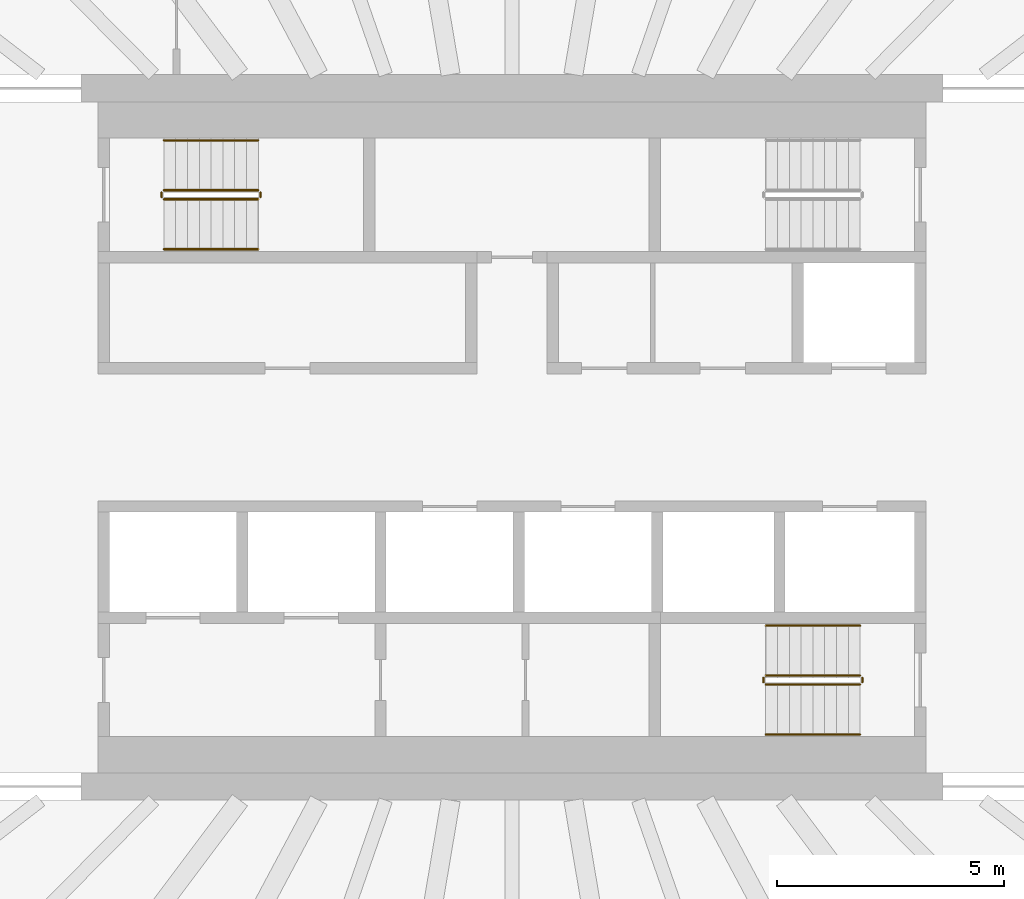
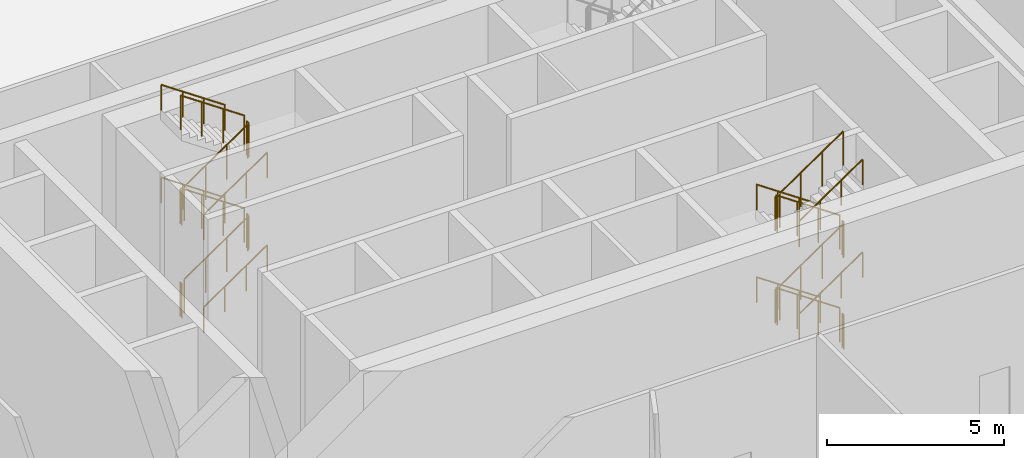
# One storey, part 20 of 27: 24 railings.
"""IFC4 building model written with IfcOpenShell, lengths in metres."""

from ifc_helpers import new_model, si_unit, direction, frame, origin, origin_2d, place, context, subcontext, project, spatial, circle, extrude, material, type_object, element, save


model = new_model("IFC4")

# Units and contexts
model_context = context("Model", 3, precision=1e-05, world=origin(), true_north=direction((0.0, 1.0)))
body_context = subcontext(model_context, "Body", "Model", "MODEL_VIEW")
ifc_project = project(units=[si_unit("LENGTHUNIT", "METRE"), si_unit("AREAUNIT", "SQUARE_METRE"), si_unit("VOLUMEUNIT", "CUBIC_METRE"), si_unit("PLANEANGLEUNIT", "RADIAN"), si_unit("MASSUNIT", "GRAM", prefix="KILO")], contexts=[model_context])

# Site, building, storey
site_placement = place(None, origin())
site = spatial("IfcSite", under=ifc_project, at=site_placement, CompositionType="ELEMENT")
building_placement = place(site_placement, origin())
building = spatial("IfcBuilding", under=site, at=building_placement, Name="Sahrelin Media Tower", CompositionType="ELEMENT")
storey_placement = place(building_placement, frame((0.0, 0.0, 44.0)))
storey = spatial("IfcBuildingStorey", under=building, at=storey_placement, Name="L06", CompositionType="ELEMENT", Elevation=44.0)

# Railings
ifc_material = material(Name="Steel S355", Category="steel")
railing_type_1 = type_object("IfcRailingType", Name="Stair guard 1200", PredefinedType="GUARDRAIL", material=ifc_material)
railing_1_placement = place(storey_placement, frame((-7.675048828125, 5.25, 0.177734375)))
element("IfcRailing", 1, at=railing_1_placement, inside=storey, type_object=railing_type_1, Name="L06 ST1 stair guard 1", PredefinedType="GUARDRAIL", context=body_context, shape_type="SweptSolid", body=[
    extrude(circle(Radius=0.02392578125, at=origin_2d()), frame((0.0, 0.0, 1.17578125), z_axis=(0.825464074169, 0.0, 0.564454659168), x_axis=(0.0, 1.0, 0.0)), (0.0, 0.0, 1.0), 2.519775390625),
    extrude(circle(Radius=0.02099609375, at=origin_2d()), origin(), (0.0, 0.0, 1.0), 1.15185546875),
    extrude(circle(Radius=0.02099609375, at=origin_2d()), frame((0.693359375, 0.0, 0.47412109375)), (0.0, 0.0, 1.0), 1.15185546875),
    extrude(circle(Radius=0.02099609375, at=origin_2d()), frame((1.38671875, 0.0, 0.9482421875)), (0.0, 0.0, 1.0), 1.15185546875),
    extrude(circle(Radius=0.02099609375, at=origin_2d()), frame((2.080078125, 0.0, 1.42236328125)), (0.0, 0.0, 1.0), 1.15185546875),
])
railing_2_placement = place(storey_placement, frame((-5.544921875, 5.300048828125, 1.60009765625)))
element("IfcRailing", 2, at=railing_2_placement, inside=storey, type_object=railing_type_1, Name="L06 ST1 stair guard 2", PredefinedType="GUARDRAIL", context=body_context, shape_type="SweptSolid", body=[
    extrude(circle(Radius=0.02392578125, at=origin_2d()), frame((0.0, 0.0, 1.17578125), z_axis=(0.0, 1.0, 0.0), x_axis=(-1.0, 0.0, 0.0)), (0.0, 0.0, 1.0), 0.099853515625),
    extrude(circle(Radius=0.02099609375, at=origin_2d()), origin(), (0.0, 0.0, 1.0), 1.15185546875),
    extrude(circle(Radius=0.02099609375, at=origin_2d()), frame((0.0, 0.099853515625, 0.0)), (0.0, 0.0, 1.0), 1.15185546875),
])
railing_3_placement = place(storey_placement, frame((-5.594970703125, 5.449951171875, 1.77783203125)))
element("IfcRailing", 3, at=railing_3_placement, inside=storey, type_object=railing_type_1, Name="L06 ST1 stair guard 3", PredefinedType="GUARDRAIL", context=body_context, shape_type="SweptSolid", body=[
    extrude(circle(Radius=0.02392578125, at=origin_2d()), frame((0.0, 0.0, 1.17578125), z_axis=(-0.82550921652, 0.0, 0.564388636881), x_axis=(0.0, -1.0, 0.0)), (0.0, 0.0, 1.0), 2.519775390625),
    extrude(circle(Radius=0.02099609375, at=origin_2d()), origin(), (0.0, 0.0, 1.0), 1.15185546875),
    extrude(circle(Radius=0.02099609375, at=origin_2d()), frame((-0.693359375, 0.0, 0.47412109375)), (0.0, 0.0, 1.0), 1.15185546875),
    extrude(circle(Radius=0.02099609375, at=origin_2d()), frame((-1.38671875, 0.0, 0.947998046875)), (0.0, 0.0, 1.0), 1.15185546875),
    extrude(circle(Radius=0.02099609375, at=origin_2d()), frame((-2.080078125, 0.0, 1.422119140625)), (0.0, 0.0, 1.0), 1.15185546875),
])
railing_4_placement = place(storey_placement, frame((-7.72509765625, 5.300048828125, 3.199951171875)))
element("IfcRailing", 4, at=railing_4_placement, inside=storey, type_object=railing_type_1, Name="L06 ST1 stair guard 4", PredefinedType="GUARDRAIL", context=body_context, shape_type="SweptSolid", body=[
    extrude(circle(Radius=0.02392578125, at=origin_2d()), frame((0.0, 0.0, 1.17578125), z_axis=(0.0, 1.0, 0.0), x_axis=(-1.0, 0.0, 0.0)), (0.0, 0.0, 1.0), 0.099853515625),
    extrude(circle(Radius=0.02099609375, at=origin_2d()), origin(), (0.0, 0.0, 1.0), 1.15185546875),
    extrude(circle(Radius=0.02099609375, at=origin_2d()), frame((0.0, 0.099853515625, 0.0)), (0.0, 0.0, 1.0), 1.15185546875),
])
railing_5_placement = place(storey_placement, frame((-7.675048828125, 5.25, 3.377685546875)))
element("IfcRailing", 5, at=railing_5_placement, inside=storey, type_object=railing_type_1, Name="L06 ST1 stair guard 5", PredefinedType="GUARDRAIL", context=body_context, shape_type="SweptSolid", body=[
    extrude(circle(Radius=0.02392578125, at=origin_2d()), frame((0.0, 0.0, 1.17578125), z_axis=(0.825464074169, 0.0, 0.564454659168), x_axis=(0.0, 1.0, 0.0)), (0.0, 0.0, 1.0), 2.519775390625),
    extrude(circle(Radius=0.02099609375, at=origin_2d()), origin(), (0.0, 0.0, 1.0), 1.15185546875),
    extrude(circle(Radius=0.02099609375, at=origin_2d()), frame((0.693359375, 0.0, 0.47412109375)), (0.0, 0.0, 1.0), 1.15185546875),
    extrude(circle(Radius=0.02099609375, at=origin_2d()), frame((1.38671875, 0.0, 0.9482421875)), (0.0, 0.0, 1.0), 1.15185546875),
    extrude(circle(Radius=0.02099609375, at=origin_2d()), frame((2.080078125, 0.0, 1.42236328125)), (0.0, 0.0, 1.0), 1.15185546875),
])
railing_6_placement = place(storey_placement, frame((-5.544921875, 5.300048828125, 4.800048828125)))
element("IfcRailing", 6, at=railing_6_placement, inside=storey, type_object=railing_type_1, Name="L06 ST1 stair guard 6", PredefinedType="GUARDRAIL", context=body_context, shape_type="SweptSolid", body=[
    extrude(circle(Radius=0.02392578125, at=origin_2d()), frame((0.0, 0.0, 1.17578125), z_axis=(0.0, 1.0, 0.0), x_axis=(-1.0, 0.0, 0.0)), (0.0, 0.0, 1.0), 0.099853515625),
    extrude(circle(Radius=0.02099609375, at=origin_2d()), origin(), (0.0, 0.0, 1.0), 1.15185546875),
    extrude(circle(Radius=0.02099609375, at=origin_2d()), frame((0.0, 0.099853515625, 0.0)), (0.0, 0.0, 1.0), 1.15185546875),
])
railing_7_placement = place(storey_placement, frame((-5.594970703125, 5.449951171875, 4.977783203125)))
element("IfcRailing", 7, at=railing_7_placement, inside=storey, type_object=railing_type_1, Name="L06 ST1 stair guard 7", PredefinedType="GUARDRAIL", context=body_context, shape_type="SweptSolid", body=[
    extrude(circle(Radius=0.02392578125, at=origin_2d()), frame((0.0, 0.0, 1.17578125), z_axis=(-0.82550921652, 0.0, 0.564388636881), x_axis=(0.0, -1.0, 0.0)), (0.0, 0.0, 1.0), 2.519775390625),
    extrude(circle(Radius=0.02099609375, at=origin_2d()), origin(), (0.0, 0.0, 1.0), 1.15185546875),
    extrude(circle(Radius=0.02099609375, at=origin_2d()), frame((-0.693359375, 0.0, 0.47412109375)), (0.0, 0.0, 1.0), 1.15185546875),
    extrude(circle(Radius=0.02099609375, at=origin_2d()), frame((-1.38671875, 0.0, 0.947998046875)), (0.0, 0.0, 1.0), 1.15185546875),
    extrude(circle(Radius=0.02099609375, at=origin_2d()), frame((-2.080078125, 0.0, 1.422119140625)), (0.0, 0.0, 1.0), 1.15185546875),
])
railing_8_placement = place(storey_placement, frame((-7.72509765625, 5.300048828125, 0.0)))
element("IfcRailing", 8, at=railing_8_placement, inside=storey, type_object=railing_type_1, Name="L06 ST1 stair guard 8", PredefinedType="GUARDRAIL", context=body_context, shape_type="SweptSolid", body=[
    extrude(circle(Radius=0.02392578125, at=origin_2d()), frame((0.0, 0.0, 1.17578125), z_axis=(0.0, 1.0, 0.0), x_axis=(-1.0, 0.0, 0.0)), (0.0, 0.0, 1.0), 0.099853515625),
    extrude(circle(Radius=0.02099609375, at=origin_2d()), origin(), (0.0, 0.0, 1.0), 1.15185546875),
    extrude(circle(Radius=0.02099609375, at=origin_2d()), frame((0.0, 0.099853515625, 0.0)), (0.0, 0.0, 1.0), 1.15185546875),
])
railing_9_placement = place(storey_placement, frame((7.675048828125, -5.25, 0.177734375)))
element("IfcRailing", 9, at=railing_9_placement, inside=storey, type_object=railing_type_1, Name="L06 ST2 stair guard 1", PredefinedType="GUARDRAIL", context=body_context, shape_type="SweptSolid", body=[
    extrude(circle(Radius=0.02392578125, at=origin_2d()), frame((0.0, 0.0, 1.17578125), z_axis=(-0.825464074169, 0.0, 0.564454659168), x_axis=(0.0, -1.0, 0.0)), (0.0, 0.0, 1.0), 2.519775390625),
    extrude(circle(Radius=0.02099609375, at=origin_2d()), origin(), (0.0, 0.0, 1.0), 1.15185546875),
    extrude(circle(Radius=0.02099609375, at=origin_2d()), frame((-0.693359375, 0.0, 0.47412109375)), (0.0, 0.0, 1.0), 1.15185546875),
    extrude(circle(Radius=0.02099609375, at=origin_2d()), frame((-1.38671875, 0.0, 0.9482421875)), (0.0, 0.0, 1.0), 1.15185546875),
    extrude(circle(Radius=0.02099609375, at=origin_2d()), frame((-2.080078125, 0.0, 1.42236328125)), (0.0, 0.0, 1.0), 1.15185546875),
])
railing_10_placement = place(storey_placement, frame((5.544921875, -5.300048828125, 1.60009765625)))
element("IfcRailing", 10, at=railing_10_placement, inside=storey, type_object=railing_type_1, Name="L06 ST2 stair guard 2", PredefinedType="GUARDRAIL", context=body_context, shape_type="SweptSolid", body=[
    extrude(circle(Radius=0.02392578125, at=origin_2d()), frame((0.0, 0.0, 1.17578125), z_axis=(0.0, -1.0, 0.0), x_axis=(1.0, 0.0, 0.0)), (0.0, 0.0, 1.0), 0.099853515625),
    extrude(circle(Radius=0.02099609375, at=origin_2d()), origin(), (0.0, 0.0, 1.0), 1.15185546875),
    extrude(circle(Radius=0.02099609375, at=origin_2d()), frame((0.0, -0.099853515625, 0.0)), (0.0, 0.0, 1.0), 1.15185546875),
])
railing_11_placement = place(storey_placement, frame((5.594970703125, -5.449951171875, 1.77783203125)))
element("IfcRailing", 11, at=railing_11_placement, inside=storey, type_object=railing_type_1, Name="L06 ST2 stair guard 3", PredefinedType="GUARDRAIL", context=body_context, shape_type="SweptSolid", body=[
    extrude(circle(Radius=0.02392578125, at=origin_2d()), frame((0.0, 0.0, 1.17578125), z_axis=(0.82550921652, 0.0, 0.564388636881), x_axis=(0.0, 1.0, 0.0)), (0.0, 0.0, 1.0), 2.519775390625),
    extrude(circle(Radius=0.02099609375, at=origin_2d()), origin(), (0.0, 0.0, 1.0), 1.15185546875),
    extrude(circle(Radius=0.02099609375, at=origin_2d()), frame((0.693359375, 0.0, 0.47412109375)), (0.0, 0.0, 1.0), 1.15185546875),
    extrude(circle(Radius=0.02099609375, at=origin_2d()), frame((1.38671875, 0.0, 0.947998046875)), (0.0, 0.0, 1.0), 1.15185546875),
    extrude(circle(Radius=0.02099609375, at=origin_2d()), frame((2.080078125, 0.0, 1.422119140625)), (0.0, 0.0, 1.0), 1.15185546875),
])
railing_12_placement = place(storey_placement, frame((7.72509765625, -5.300048828125, 3.199951171875)))
element("IfcRailing", 12, at=railing_12_placement, inside=storey, type_object=railing_type_1, Name="L06 ST2 stair guard 4", PredefinedType="GUARDRAIL", context=body_context, shape_type="SweptSolid", body=[
    extrude(circle(Radius=0.02392578125, at=origin_2d()), frame((0.0, 0.0, 1.17578125), z_axis=(0.0, -1.0, 0.0), x_axis=(1.0, 0.0, 0.0)), (0.0, 0.0, 1.0), 0.099853515625),
    extrude(circle(Radius=0.02099609375, at=origin_2d()), origin(), (0.0, 0.0, 1.0), 1.15185546875),
    extrude(circle(Radius=0.02099609375, at=origin_2d()), frame((0.0, -0.099853515625, 0.0)), (0.0, 0.0, 1.0), 1.15185546875),
])
railing_13_placement = place(storey_placement, frame((7.675048828125, -5.25, 3.377685546875)))
element("IfcRailing", 13, at=railing_13_placement, inside=storey, type_object=railing_type_1, Name="L06 ST2 stair guard 5", PredefinedType="GUARDRAIL", context=body_context, shape_type="SweptSolid", body=[
    extrude(circle(Radius=0.02392578125, at=origin_2d()), frame((0.0, 0.0, 1.17578125), z_axis=(-0.825464074169, 0.0, 0.564454659168), x_axis=(0.0, -1.0, 0.0)), (0.0, 0.0, 1.0), 2.519775390625),
    extrude(circle(Radius=0.02099609375, at=origin_2d()), origin(), (0.0, 0.0, 1.0), 1.15185546875),
    extrude(circle(Radius=0.02099609375, at=origin_2d()), frame((-0.693359375, 0.0, 0.47412109375)), (0.0, 0.0, 1.0), 1.15185546875),
    extrude(circle(Radius=0.02099609375, at=origin_2d()), frame((-1.38671875, 0.0, 0.9482421875)), (0.0, 0.0, 1.0), 1.15185546875),
    extrude(circle(Radius=0.02099609375, at=origin_2d()), frame((-2.080078125, 0.0, 1.42236328125)), (0.0, 0.0, 1.0), 1.15185546875),
])
railing_14_placement = place(storey_placement, frame((5.544921875, -5.300048828125, 4.800048828125)))
element("IfcRailing", 14, at=railing_14_placement, inside=storey, type_object=railing_type_1, Name="L06 ST2 stair guard 6", PredefinedType="GUARDRAIL", context=body_context, shape_type="SweptSolid", body=[
    extrude(circle(Radius=0.02392578125, at=origin_2d()), frame((0.0, 0.0, 1.17578125), z_axis=(0.0, -1.0, 0.0), x_axis=(1.0, 0.0, 0.0)), (0.0, 0.0, 1.0), 0.099853515625),
    extrude(circle(Radius=0.02099609375, at=origin_2d()), origin(), (0.0, 0.0, 1.0), 1.15185546875),
    extrude(circle(Radius=0.02099609375, at=origin_2d()), frame((0.0, -0.099853515625, 0.0)), (0.0, 0.0, 1.0), 1.15185546875),
])
railing_15_placement = place(storey_placement, frame((5.594970703125, -5.449951171875, 4.977783203125)))
element("IfcRailing", 15, at=railing_15_placement, inside=storey, type_object=railing_type_1, Name="L06 ST2 stair guard 7", PredefinedType="GUARDRAIL", context=body_context, shape_type="SweptSolid", body=[
    extrude(circle(Radius=0.02392578125, at=origin_2d()), frame((0.0, 0.0, 1.17578125), z_axis=(0.82550921652, 0.0, 0.564388636881), x_axis=(0.0, 1.0, 0.0)), (0.0, 0.0, 1.0), 2.519775390625),
    extrude(circle(Radius=0.02099609375, at=origin_2d()), origin(), (0.0, 0.0, 1.0), 1.15185546875),
    extrude(circle(Radius=0.02099609375, at=origin_2d()), frame((0.693359375, 0.0, 0.47412109375)), (0.0, 0.0, 1.0), 1.15185546875),
    extrude(circle(Radius=0.02099609375, at=origin_2d()), frame((1.38671875, 0.0, 0.947998046875)), (0.0, 0.0, 1.0), 1.15185546875),
    extrude(circle(Radius=0.02099609375, at=origin_2d()), frame((2.080078125, 0.0, 1.422119140625)), (0.0, 0.0, 1.0), 1.15185546875),
])
railing_16_placement = place(storey_placement, frame((7.72509765625, -5.300048828125, 0.0)))
element("IfcRailing", 16, at=railing_16_placement, inside=storey, type_object=railing_type_1, Name="L06 ST2 stair guard 8", PredefinedType="GUARDRAIL", context=body_context, shape_type="SweptSolid", body=[
    extrude(circle(Radius=0.02392578125, at=origin_2d()), frame((0.0, 0.0, 1.17578125), z_axis=(0.0, -1.0, 0.0), x_axis=(1.0, 0.0, 0.0)), (0.0, 0.0, 1.0), 0.099853515625),
    extrude(circle(Radius=0.02099609375, at=origin_2d()), origin(), (0.0, 0.0, 1.0), 1.15185546875),
    extrude(circle(Radius=0.02099609375, at=origin_2d()), frame((0.0, -0.099853515625, 0.0)), (0.0, 0.0, 1.0), 1.15185546875),
])
railing_type_2 = type_object("IfcRailingType", Name="Stair handrail 900", PredefinedType="HANDRAIL", material=ifc_material)
railing_17_placement = place(storey_placement, frame((-7.675048828125, 4.14990234375, 0.177734375)))
element("IfcRailing", 17, at=railing_17_placement, inside=storey, type_object=railing_type_2, Name="L06 ST1 stair handrail 1", PredefinedType="HANDRAIL", context=body_context, shape_type="SweptSolid", body=[
    extrude(circle(Radius=0.02392578125, at=origin_2d()), frame((0.0, 0.0, 0.8759765625), z_axis=(0.825464074169, 0.0, 0.564454659168), x_axis=(0.0, 1.0, 0.0)), (0.0, 0.0, 1.0), 2.519775390625),
    extrude(circle(Radius=0.02099609375, at=origin_2d()), origin(), (0.0, 0.0, 1.0), 0.851806640625),
    extrude(circle(Radius=0.02099609375, at=origin_2d()), frame((0.693359375, 0.0, 0.47412109375)), (0.0, 0.0, 1.0), 0.851806640625),
    extrude(circle(Radius=0.02099609375, at=origin_2d()), frame((1.38671875, 0.0, 0.9482421875)), (0.0, 0.0, 1.0), 0.851806640625),
    extrude(circle(Radius=0.02099609375, at=origin_2d()), frame((2.080078125, 0.0, 1.42236328125)), (0.0, 0.0, 1.0), 0.851806640625),
])
railing_18_placement = place(storey_placement, frame((-5.594970703125, 6.550048828125, 1.77783203125)))
element("IfcRailing", 18, at=railing_18_placement, inside=storey, type_object=railing_type_2, Name="L06 ST1 stair handrail 2", PredefinedType="HANDRAIL", context=body_context, shape_type="SweptSolid", body=[
    extrude(circle(Radius=0.02392578125, at=origin_2d()), frame((0.0, 0.0, 0.8759765625), z_axis=(-0.82550921652, 0.0, 0.564388636881), x_axis=(0.0, -1.0, 0.0)), (0.0, 0.0, 1.0), 2.519775390625),
    extrude(circle(Radius=0.02099609375, at=origin_2d()), origin(), (0.0, 0.0, 1.0), 0.851806640625),
    extrude(circle(Radius=0.02099609375, at=origin_2d()), frame((-0.693359375, 0.0, 0.47412109375)), (0.0, 0.0, 1.0), 0.851806640625),
    extrude(circle(Radius=0.02099609375, at=origin_2d()), frame((-1.38671875, 0.0, 0.947998046875)), (0.0, 0.0, 1.0), 0.851806640625),
    extrude(circle(Radius=0.02099609375, at=origin_2d()), frame((-2.080078125, 0.0, 1.422119140625)), (0.0, 0.0, 1.0), 0.851806640625),
])
railing_19_placement = place(storey_placement, frame((-7.675048828125, 4.14990234375, 3.377685546875)))
element("IfcRailing", 19, at=railing_19_placement, inside=storey, type_object=railing_type_2, Name="L06 ST1 stair handrail 3", PredefinedType="HANDRAIL", context=body_context, shape_type="SweptSolid", body=[
    extrude(circle(Radius=0.02392578125, at=origin_2d()), frame((0.0, 0.0, 0.8759765625), z_axis=(0.825464074169, 0.0, 0.564454659168), x_axis=(0.0, 1.0, 0.0)), (0.0, 0.0, 1.0), 2.519775390625),
    extrude(circle(Radius=0.02099609375, at=origin_2d()), origin(), (0.0, 0.0, 1.0), 0.851806640625),
    extrude(circle(Radius=0.02099609375, at=origin_2d()), frame((0.693359375, 0.0, 0.47412109375)), (0.0, 0.0, 1.0), 0.851806640625),
    extrude(circle(Radius=0.02099609375, at=origin_2d()), frame((1.38671875, 0.0, 0.9482421875)), (0.0, 0.0, 1.0), 0.851806640625),
    extrude(circle(Radius=0.02099609375, at=origin_2d()), frame((2.080078125, 0.0, 1.42236328125)), (0.0, 0.0, 1.0), 0.851806640625),
])
railing_20_placement = place(storey_placement, frame((-5.594970703125, 6.550048828125, 4.977783203125)))
element("IfcRailing", 20, at=railing_20_placement, inside=storey, type_object=railing_type_2, Name="L06 ST1 stair handrail 4", PredefinedType="HANDRAIL", context=body_context, shape_type="SweptSolid", body=[
    extrude(circle(Radius=0.02392578125, at=origin_2d()), frame((0.0, 0.0, 0.8759765625), z_axis=(-0.82550921652, 0.0, 0.564388636881), x_axis=(0.0, -1.0, 0.0)), (0.0, 0.0, 1.0), 2.519775390625),
    extrude(circle(Radius=0.02099609375, at=origin_2d()), origin(), (0.0, 0.0, 1.0), 0.851806640625),
    extrude(circle(Radius=0.02099609375, at=origin_2d()), frame((-0.693359375, 0.0, 0.47412109375)), (0.0, 0.0, 1.0), 0.851806640625),
    extrude(circle(Radius=0.02099609375, at=origin_2d()), frame((-1.38671875, 0.0, 0.947998046875)), (0.0, 0.0, 1.0), 0.851806640625),
    extrude(circle(Radius=0.02099609375, at=origin_2d()), frame((-2.080078125, 0.0, 1.422119140625)), (0.0, 0.0, 1.0), 0.851806640625),
])
railing_21_placement = place(storey_placement, frame((7.675048828125, -4.14990234375, 0.177734375)))
element("IfcRailing", 21, at=railing_21_placement, inside=storey, type_object=railing_type_2, Name="L06 ST2 stair handrail 1", PredefinedType="HANDRAIL", context=body_context, shape_type="SweptSolid", body=[
    extrude(circle(Radius=0.02392578125, at=origin_2d()), frame((0.0, 0.0, 0.8759765625), z_axis=(-0.825464074169, 0.0, 0.564454659168), x_axis=(0.0, -1.0, 0.0)), (0.0, 0.0, 1.0), 2.519775390625),
    extrude(circle(Radius=0.02099609375, at=origin_2d()), origin(), (0.0, 0.0, 1.0), 0.851806640625),
    extrude(circle(Radius=0.02099609375, at=origin_2d()), frame((-0.693359375, 0.0, 0.47412109375)), (0.0, 0.0, 1.0), 0.851806640625),
    extrude(circle(Radius=0.02099609375, at=origin_2d()), frame((-1.38671875, 0.0, 0.9482421875)), (0.0, 0.0, 1.0), 0.851806640625),
    extrude(circle(Radius=0.02099609375, at=origin_2d()), frame((-2.080078125, 0.0, 1.42236328125)), (0.0, 0.0, 1.0), 0.851806640625),
])
railing_22_placement = place(storey_placement, frame((5.594970703125, -6.550048828125, 1.77783203125)))
element("IfcRailing", 22, at=railing_22_placement, inside=storey, type_object=railing_type_2, Name="L06 ST2 stair handrail 2", PredefinedType="HANDRAIL", context=body_context, shape_type="SweptSolid", body=[
    extrude(circle(Radius=0.02392578125, at=origin_2d()), frame((0.0, 0.0, 0.8759765625), z_axis=(0.82550921652, 0.0, 0.564388636881), x_axis=(0.0, 1.0, 0.0)), (0.0, 0.0, 1.0), 2.519775390625),
    extrude(circle(Radius=0.02099609375, at=origin_2d()), origin(), (0.0, 0.0, 1.0), 0.851806640625),
    extrude(circle(Radius=0.02099609375, at=origin_2d()), frame((0.693359375, 0.0, 0.47412109375)), (0.0, 0.0, 1.0), 0.851806640625),
    extrude(circle(Radius=0.02099609375, at=origin_2d()), frame((1.38671875, 0.0, 0.947998046875)), (0.0, 0.0, 1.0), 0.851806640625),
    extrude(circle(Radius=0.02099609375, at=origin_2d()), frame((2.080078125, 0.0, 1.422119140625)), (0.0, 0.0, 1.0), 0.851806640625),
])
railing_23_placement = place(storey_placement, frame((7.675048828125, -4.14990234375, 3.377685546875)))
element("IfcRailing", 23, at=railing_23_placement, inside=storey, type_object=railing_type_2, Name="L06 ST2 stair handrail 3", PredefinedType="HANDRAIL", context=body_context, shape_type="SweptSolid", body=[
    extrude(circle(Radius=0.02392578125, at=origin_2d()), frame((0.0, 0.0, 0.8759765625), z_axis=(-0.825464074169, 0.0, 0.564454659168), x_axis=(0.0, -1.0, 0.0)), (0.0, 0.0, 1.0), 2.519775390625),
    extrude(circle(Radius=0.02099609375, at=origin_2d()), origin(), (0.0, 0.0, 1.0), 0.851806640625),
    extrude(circle(Radius=0.02099609375, at=origin_2d()), frame((-0.693359375, 0.0, 0.47412109375)), (0.0, 0.0, 1.0), 0.851806640625),
    extrude(circle(Radius=0.02099609375, at=origin_2d()), frame((-1.38671875, 0.0, 0.9482421875)), (0.0, 0.0, 1.0), 0.851806640625),
    extrude(circle(Radius=0.02099609375, at=origin_2d()), frame((-2.080078125, 0.0, 1.42236328125)), (0.0, 0.0, 1.0), 0.851806640625),
])
railing_24_placement = place(storey_placement, frame((5.594970703125, -6.550048828125, 4.977783203125)))
element("IfcRailing", 24, at=railing_24_placement, inside=storey, type_object=railing_type_2, Name="L06 ST2 stair handrail 4", PredefinedType="HANDRAIL", context=body_context, shape_type="SweptSolid", body=[
    extrude(circle(Radius=0.02392578125, at=origin_2d()), frame((0.0, 0.0, 0.8759765625), z_axis=(0.82550921652, 0.0, 0.564388636881), x_axis=(0.0, 1.0, 0.0)), (0.0, 0.0, 1.0), 2.519775390625),
    extrude(circle(Radius=0.02099609375, at=origin_2d()), origin(), (0.0, 0.0, 1.0), 0.851806640625),
    extrude(circle(Radius=0.02099609375, at=origin_2d()), frame((0.693359375, 0.0, 0.47412109375)), (0.0, 0.0, 1.0), 0.851806640625),
    extrude(circle(Radius=0.02099609375, at=origin_2d()), frame((1.38671875, 0.0, 0.947998046875)), (0.0, 0.0, 1.0), 0.851806640625),
    extrude(circle(Radius=0.02099609375, at=origin_2d()), frame((2.080078125, 0.0, 1.422119140625)), (0.0, 0.0, 1.0), 0.851806640625),
])

save(model, "model.ifc")
